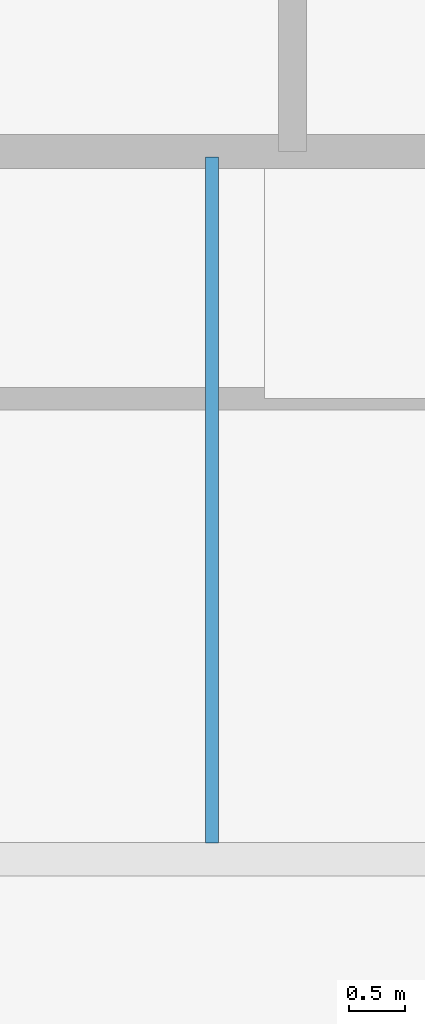
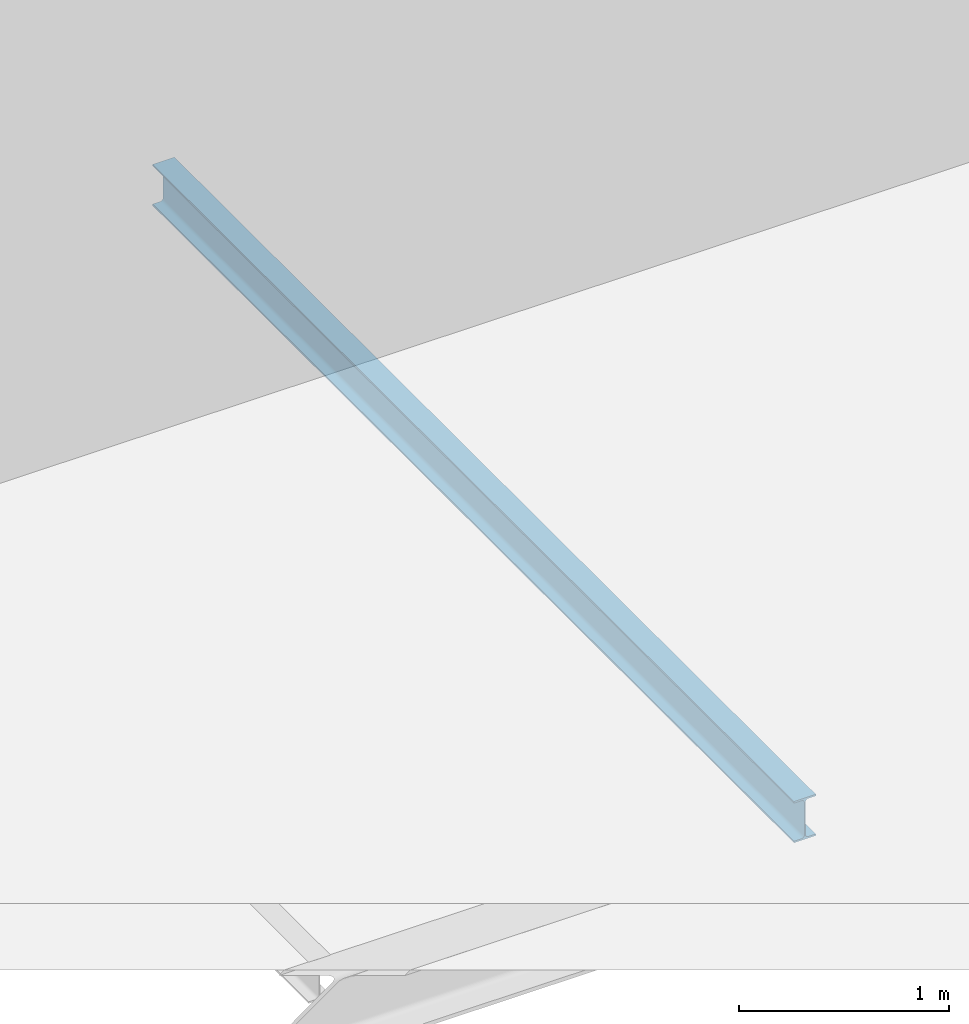
# One storey, part 8 of 17: 1 beam.
"""IFC4 building model written with IfcOpenShell, lengths in metres."""

from ifc_helpers import new_model, si_unit, direction, frame, origin, origin_2d, place, context, subcontext, project, spatial, i_section, extrude, material, material_profile, profile_set, type_object, element, save


model = new_model("IFC4")

# Units and contexts
model_context = context("Model", 3, precision=1e-05, world=origin(), true_north=direction((0.0, 1.0)))
body_context = subcontext(model_context, "Body", "Model", "MODEL_VIEW")
ifc_project = project(units=[si_unit("LENGTHUNIT", "METRE"), si_unit("AREAUNIT", "SQUARE_METRE"), si_unit("VOLUMEUNIT", "CUBIC_METRE"), si_unit("PLANEANGLEUNIT", "RADIAN"), si_unit("MASSUNIT", "GRAM", prefix="KILO")], contexts=[model_context])

# Site, building, storey
site_placement = place(None, origin())
site = spatial("IfcSite", under=ifc_project, at=site_placement, CompositionType="ELEMENT")
building_placement = place(site_placement, origin())
building = spatial("IfcBuilding", under=site, at=building_placement, Name="Catumbela Crestline Tower", CompositionType="ELEMENT")
storey_placement = place(building_placement, frame((0.0, 0.0, 279.2)))
storey = spatial("IfcBuildingStorey", under=building, at=storey_placement, Name="L72", CompositionType="ELEMENT", Elevation=279.2)

# Beam
ifc_material = material(Name="Structural steel S355J2", Category="steel")
ifc_material_profile = material_profile(ifc_material, i_section(OverallWidth=0.12, OverallDepth=0.24, WebThickness=0.0062, FlangeThickness=0.0098, FilletRadius=0.015, at=origin_2d()), Name="IPE 240")
ifc_profile_set = profile_set([ifc_material_profile], Name="Structural steel S355J2")
beam_type = type_object("IfcBeamType", Name="BJ-IPE240", PredefinedType="JOIST", material=ifc_profile_set)
beam_placement = place(storey_placement, frame((21.333, 24.647, -0.38), z_axis=(0.0, 1.0, 0.0), x_axis=(-1.0, 0.0, 0.0)))
element("IfcBeam", 1, at=beam_placement, inside=storey, type_object=beam_type, Name="L72 Joist JS-L72-SP13", PredefinedType="JOIST", context=body_context, shape_type="SweptSolid", body=[
    extrude(i_section(OverallWidth=0.12, OverallDepth=0.24, WebThickness=0.0062, FlangeThickness=0.0098, FilletRadius=0.015, at=origin_2d()), origin(), (0.0, 0.0, 1.0), 6.103),
])

save(model, "model.ifc")
